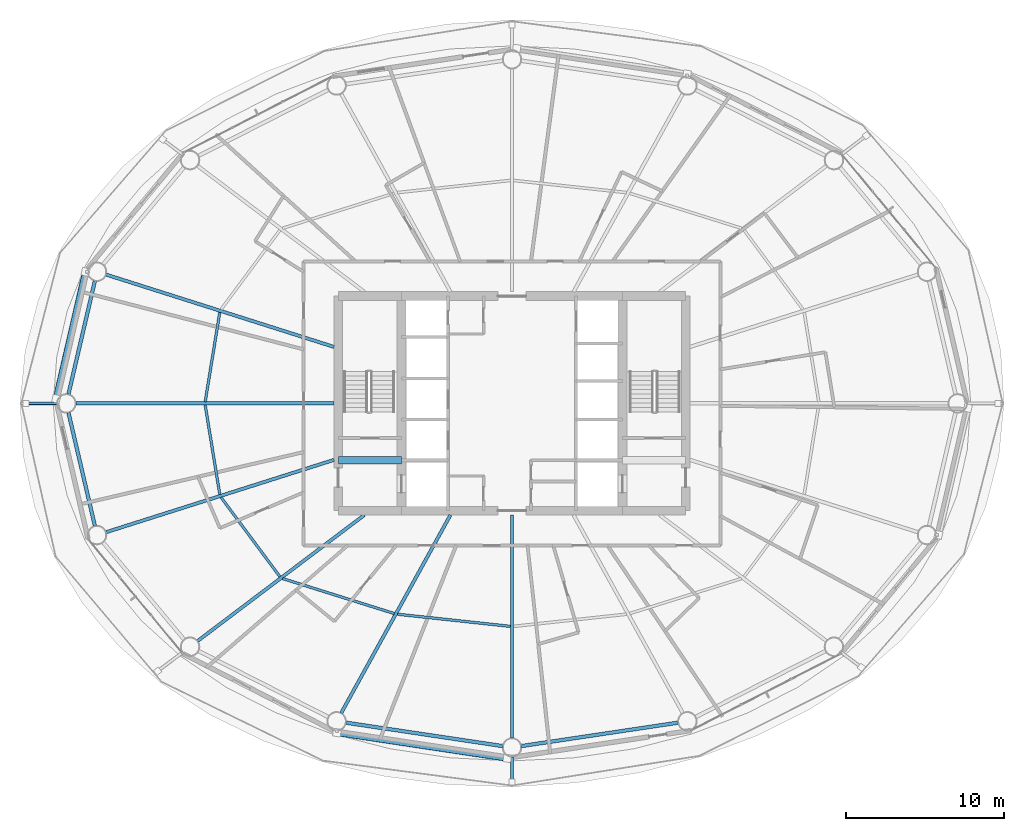
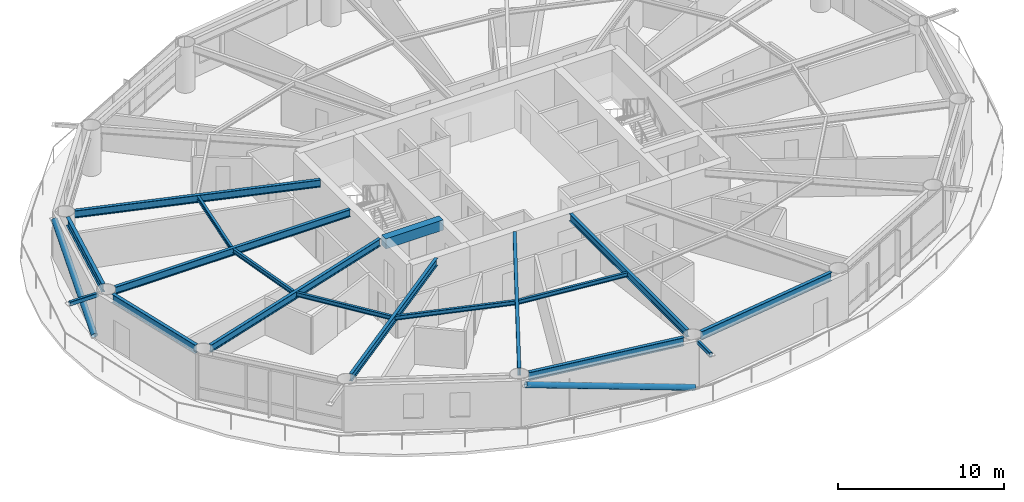
# One storey, part 3 of 24: 16 beams, 4 members.
"""IFC4 building model written with IfcOpenShell, lengths in metres."""

from ifc_helpers import new_model, si_unit, direction, frame, origin, origin_2d, place, context, subcontext, project, spatial, rectangle, hollow_rectangle, hollow_circle, i_section, extrude, material, material_profile, profile_set, type_object, element, save


model = new_model("IFC4")

# Units and contexts
model_context = context("Model", 3, precision=1e-05, world=origin(), true_north=direction((0.0, 1.0)))
body_context = subcontext(model_context, "Body", "Model", "MODEL_VIEW")
ifc_project = project(units=[si_unit("LENGTHUNIT", "METRE"), si_unit("AREAUNIT", "SQUARE_METRE"), si_unit("VOLUMEUNIT", "CUBIC_METRE"), si_unit("PLANEANGLEUNIT", "RADIAN"), si_unit("MASSUNIT", "GRAM", prefix="KILO")], contexts=[model_context])

# Site, building, storey
site_placement = place(None, origin())
site = spatial("IfcSite", under=ifc_project, at=site_placement, CompositionType="ELEMENT")
building_placement = place(site_placement, origin())
building = spatial("IfcBuilding", under=site, at=building_placement, Name="Sarneth Arch Tower", CompositionType="ELEMENT")
storey_placement = place(building_placement, frame((0.0, 0.0, 109.199951171875)))
storey = spatial("IfcBuildingStorey", under=building, at=storey_placement, Name="L27", CompositionType="ELEMENT", Elevation=109.199951171875)

# Beams
ifc_material_1 = material(Name="Steel S355", Category="steel")
ifc_material_profile_1 = material_profile(ifc_material_1, i_section(OverallWidth=0.1669921875, OverallDepth=0.31689453125, WebThickness=0.007568359375, FlangeThickness=0.01318359375, FilletRadius=0.012939453125, at=origin_2d()), Name="W310x52")
ifc_profile_set_1 = profile_set([ifc_material_profile_1], Name="Steel S355")
beam_type_1 = type_object("IfcBeamType", Name="BM-JOIST-310B", PredefinedType="JOIST", material=ifc_profile_set_1)
for number, where, z_axis, x_axis, name in (
    (1, (29.48583984375, 47.76513671875, 3.221435546875), (-0.16118181609, -0.986924729735, 0.0), (0.986924729735, -0.16118181609, 0.0), "L27 Secondary floor joist 08"),
    (2, (28.561279296875, 41.89599609375, 3.221435546875), (0.16118181609, -0.986924729735, 0.0), (0.986924729735, 0.16118181609, 0.0), "L27 Secondary floor joist 09"),
):
    element("IfcBeam", number, at=place(storey_placement, frame(where, z_axis=z_axis, x_axis=x_axis)), inside=storey, type_object=beam_type_1, Name=name, PredefinedType="JOIST", context=body_context, shape_type="SweptSolid", body=[
        extrude(i_section(OverallWidth=0.1669921875, OverallDepth=0.31689453125, WebThickness=0.007568359375, FlangeThickness=0.01318359375, FilletRadius=0.012939453125, at=origin_2d()), origin(), (0.0, 0.0, 1.0), 5.736083984375),
    ])
beam_1_placement = place(storey_placement, frame((29.565673828125, 36.0458984375, 3.221435546875), z_axis=(0.596098474255, -0.802911333206, 0.0), x_axis=(0.802911333206, 0.596098474255, 0.0)))
element("IfcBeam", 3, at=beam_1_placement, inside=storey, type_object=beam_type_1, Name="L27 Secondary floor joist 10", PredefinedType="JOIST", context=body_context, shape_type="SweptSolid", body=[
    extrude(i_section(OverallWidth=0.1669921875, OverallDepth=0.31689453125, WebThickness=0.007568359375, FlangeThickness=0.01318359375, FilletRadius=0.012939453125, at=origin_2d()), origin(), (0.0, 0.0, 1.0), 6.259033203125),
])
beam_2_placement = place(storey_placement, frame((33.460205078125, 30.904296875, 3.221435546875), z_axis=(0.954245982384, -0.299022750146, 0.0), x_axis=(0.299022750146, 0.954245982384, 0.0)))
element("IfcBeam", 4, at=beam_2_placement, inside=storey, type_object=beam_type_1, Name="L27 Secondary floor joist 11", PredefinedType="JOIST", context=body_context, shape_type="SweptSolid", body=[
    extrude(i_section(OverallWidth=0.1669921875, OverallDepth=0.31689453125, WebThickness=0.007568359375, FlangeThickness=0.01318359375, FilletRadius=0.012939453125, at=origin_2d()), origin(), (0.0, 0.0, 1.0), 7.416748046875),
])
beam_3_placement = place(storey_placement, frame((40.7431640625, 28.6435546875, 3.221435546875), z_axis=(0.994257420028, -0.107014871487, 0.0), x_axis=(0.107014871487, 0.994257420028, 0.0)))
element("IfcBeam", 5, at=beam_3_placement, inside=storey, type_object=beam_type_1, Name="L27 Secondary floor joist 12", PredefinedType="JOIST", context=body_context, shape_type="SweptSolid", body=[
    extrude(i_section(OverallWidth=0.1669921875, OverallDepth=0.31689453125, WebThickness=0.007568359375, FlangeThickness=0.01318359375, FilletRadius=0.012939453125, at=origin_2d()), origin(), (0.0, 0.0, 1.0), 7.193115234375),
])
ifc_material_2 = material(Name="Concrete C50/60", Category="concrete")
ifc_material_profile_2 = material_profile(ifc_material_2, rectangle(XDim=0.5, YDim=0.75, at=origin_2d()), Name="RC-500x750")
ifc_profile_set_2 = profile_set([ifc_material_profile_2], Name="Concrete C50/60")
beam_type_2 = type_object("IfcBeamType", Name="BM-LINTEL-RC", PredefinedType="LINTEL", material=ifc_profile_set_2)
beam_4_placement = place(storey_placement, frame((37.0, 38.39990234375, 3.005126953125), z_axis=(1.0, 0.0, 0.0), x_axis=(0.0, 1.0, 0.0)))
element("IfcBeam", 6, at=beam_4_placement, inside=storey, type_object=beam_type_2, Name="L27 Core coupling lintel W", PredefinedType="LINTEL", context=body_context, shape_type="SweptSolid", body=[
    extrude(rectangle(XDim=0.5, YDim=0.75, at=origin_2d()), origin(), (0.0, 0.0, 1.0), 4.0),
])
ifc_material_3 = material(Name="Steel S355", Category="steel")
ifc_material_profile_3 = material_profile(ifc_material_3, i_section(OverallWidth=0.2109375, OverallDepth=0.5390625, WebThickness=0.01171875, FlangeThickness=0.018798828125, FilletRadius=0.01806640625, at=origin_2d()), Name="W530x109")
ifc_profile_set_3 = profile_set([ifc_material_profile_3], Name="Steel S355")
beam_type_3 = type_object("IfcBeamType", Name="BM-RAD-530B", PredefinedType="BEAM", material=ifc_profile_set_3)
beam_5_placement = place(storey_placement, frame((36.72509765625, 45.57763671875, 3.110595703125), z_axis=(-0.953162461637, 0.302458793435, 0.0), x_axis=(-0.302458793435, -0.953162461637, 0.0)))
element("IfcBeam", 7, at=beam_5_placement, inside=storey, type_object=beam_type_3, Name="L27 Radial floor girder 08", PredefinedType="BEAM", context=body_context, shape_type="SweptSolid", body=[
    extrude(i_section(OverallWidth=0.2109375, OverallDepth=0.5390625, WebThickness=0.01171875, FlangeThickness=0.018798828125, FilletRadius=0.01806640625, at=origin_2d()), origin(), (0.0, 0.0, 1.0), 15.154052734375),
])
beam_6_placement = place(storey_placement, frame((36.72509765625, 42.0, 3.110595703125), z_axis=(-1.0, 0.0, 0.0), x_axis=(0.0, -1.0, 0.0)))
element("IfcBeam", 8, at=beam_6_placement, inside=storey, type_object=beam_type_3, Name="L27 Radial floor girder 09", PredefinedType="BEAM", context=body_context, shape_type="SweptSolid", body=[
    extrude(i_section(OverallWidth=0.2109375, OverallDepth=0.5390625, WebThickness=0.01171875, FlangeThickness=0.018798828125, FilletRadius=0.01806640625, at=origin_2d()), origin(), (0.0, 0.0, 1.0), 16.36181640625),
])
beam_7_placement = place(storey_placement, frame((36.72509765625, 38.42236328125, 3.110595703125), z_axis=(-0.953162461637, -0.302458793435, 0.0), x_axis=(0.302458793435, -0.953162461637, 0.0)))
element("IfcBeam", 9, at=beam_7_placement, inside=storey, type_object=beam_type_3, Name="L27 Radial floor girder 10", PredefinedType="BEAM", context=body_context, shape_type="SweptSolid", body=[
    extrude(i_section(OverallWidth=0.2109375, OverallDepth=0.5390625, WebThickness=0.01171875, FlangeThickness=0.018798828125, FilletRadius=0.01806640625, at=origin_2d()), origin(), (0.0, 0.0, 1.0), 15.154052734375),
])
beam_8_placement = place(storey_placement, frame((38.63818359375, 34.925048828125, 3.110595703125), z_axis=(-0.797802835234, -0.602918432371, 0.0), x_axis=(0.602918432371, -0.797802835234, 0.0)))
element("IfcBeam", 10, at=beam_8_placement, inside=storey, type_object=beam_type_3, Name="L27 Radial floor girder 11", PredefinedType="BEAM", context=body_context, shape_type="SweptSolid", body=[
    extrude(i_section(OverallWidth=0.2109375, OverallDepth=0.5390625, WebThickness=0.01171875, FlangeThickness=0.018798828125, FilletRadius=0.01806640625, at=origin_2d()), origin(), (0.0, 0.0, 1.0), 13.232666015625),
])
beam_9_placement = place(storey_placement, frame((44.09716796875, 34.925048828125, 3.110595703125), z_axis=(-0.483021011336, -0.875608761153, 0.0), x_axis=(0.875608761153, -0.483021011336, 0.0)))
element("IfcBeam", 11, at=beam_9_placement, inside=storey, type_object=beam_type_3, Name="L27 Radial floor girder 12", PredefinedType="BEAM", context=body_context, shape_type="SweptSolid", body=[
    extrude(i_section(OverallWidth=0.2109375, OverallDepth=0.5390625, WebThickness=0.01171875, FlangeThickness=0.018798828125, FilletRadius=0.01806640625, at=origin_2d()), origin(), (0.0, 0.0, 1.0), 14.32177734375),
])
beam_10_placement = place(storey_placement, frame((48.0, 34.925048828125, 3.110595703125), z_axis=(0.0, -1.0, 0.0), x_axis=(1.0, 0.0, 0.0)))
element("IfcBeam", 12, at=beam_10_placement, inside=storey, type_object=beam_type_3, Name="L27 Radial floor girder 13", PredefinedType="BEAM", context=body_context, shape_type="SweptSolid", body=[
    extrude(i_section(OverallWidth=0.2109375, OverallDepth=0.5390625, WebThickness=0.01171875, FlangeThickness=0.018798828125, FilletRadius=0.01806640625, at=origin_2d()), origin(), (0.0, 0.0, 1.0), 14.125),
])
ifc_material_4 = material(Name="Steel S355", Category="steel")
ifc_material_profile_4 = material_profile(ifc_material_4, i_section(OverallWidth=0.22900390625, OverallDepth=0.612060546875, WebThickness=0.011962890625, FlangeThickness=0.01953125, FilletRadius=0.01904296875, at=origin_2d()), Name="W610x125")
ifc_profile_set_4 = profile_set([ifc_material_profile_4], Name="Steel S355")
beam_type_4 = type_object("IfcBeamType", Name="BM-SPAN-610C", PredefinedType="SPANDREL", material=ifc_profile_set_4)
for number, where, z_axis, x_axis, name in (
    (13, (21.572509765625, 49.75830078125, 3.073974609375), (-0.227088175252, -0.973874201661, 0.0), (0.973874201661, -0.227088175252, 0.0), "L27 Perimeter spandrel beam 08"),
    (14, (19.899658203125, 41.415771484375, 3.073974609375), (0.227088175252, -0.973874201661, 0.0), (0.973874201661, 0.227088175252, 0.0), "L27 Perimeter spandrel beam 09"),
):
    element("IfcBeam", number, at=place(storey_placement, frame(where, z_axis=z_axis, x_axis=x_axis)), inside=storey, type_object=beam_type_4, Name=name, PredefinedType="SPANDREL", context=body_context, shape_type="SweptSolid", body=[
        extrude(i_section(OverallWidth=0.22900390625, OverallDepth=0.612060546875, WebThickness=0.011962890625, FlangeThickness=0.01953125, FilletRadius=0.01904296875, at=origin_2d()), origin(), (0.0, 0.0, 1.0), 7.366455078125),
    ])
for number, where, z_axis, x_axis, name in (
    (15, (37.483154296875, 21.770751953125, 3.073974609375), (0.989028613319, -0.147724073992, 0.0), (0.147724073992, 0.989028613319, 0.0), "L27 Perimeter spandrel beam 12"),
    (16, (48.593505859375, 20.28857421875, 3.073974609375), (0.989028613319, 0.147724073992, 0.0), (-0.147724073992, 0.989028613319, 0.0), "L27 Perimeter spandrel beam 13"),
):
    element("IfcBeam", number, at=place(storey_placement, frame(where, z_axis=z_axis, x_axis=x_axis)), inside=storey, type_object=beam_type_4, Name=name, PredefinedType="SPANDREL", context=body_context, shape_type="SweptSolid", body=[
        extrude(i_section(OverallWidth=0.22900390625, OverallDepth=0.612060546875, WebThickness=0.011962890625, FlangeThickness=0.01953125, FilletRadius=0.01904296875, at=origin_2d()), origin(), (0.0, 0.0, 1.0), 10.033447265625),
    ])

# Members
ifc_material_5 = material(Name="Steel S355", Category="steel")
ifc_material_profile_5 = material_profile(ifc_material_5, hollow_rectangle(XDim=0.199951171875, YDim=0.300048828125, WallThickness=0.012451171875, InnerFilletRadius=0.018798828125, OuterFilletRadius=0.03125, at=origin_2d()), Name="RHS300x200x12.5")
ifc_profile_set_5 = profile_set([ifc_material_profile_5], Name="Steel S355")
member_type_1 = type_object("IfcMemberType", Name="MEM-CANT-STRUT", PredefinedType="STRUT", material=ifc_profile_set_5)
member_1_placement = place(storey_placement, frame((19.163330078125, 42.0, 3.219970703125), z_axis=(-1.0, 0.0, 0.0), x_axis=(0.0, -1.0, 0.0)))
element("IfcMember", 17, at=member_1_placement, inside=storey, type_object=member_type_1, Name="L27 Balcony cantilever bracket 09", PredefinedType="STRUT", context=body_context, shape_type="SweptSolid", body=[
    extrude(hollow_rectangle(XDim=0.199951171875, YDim=0.300048828125, WallThickness=0.012451171875, InnerFilletRadius=0.018798828125, OuterFilletRadius=0.03125, at=origin_2d()), origin(), (0.0, 0.0, 1.0), 1.966064453125),
])
member_2_placement = place(storey_placement, frame((48.0, 19.60009765625, 3.219970703125), z_axis=(0.0, -1.0, 0.0), x_axis=(1.0, 0.0, 0.0)))
element("IfcMember", 18, at=member_2_placement, inside=storey, type_object=member_type_1, Name="L27 Balcony cantilever bracket 13", PredefinedType="STRUT", context=body_context, shape_type="SweptSolid", body=[
    extrude(hollow_rectangle(XDim=0.199951171875, YDim=0.300048828125, WallThickness=0.012451171875, InnerFilletRadius=0.018798828125, OuterFilletRadius=0.03125, at=origin_2d()), origin(), (0.0, 0.0, 1.0), 1.583984375),
])
ifc_material_6 = material(Name="Steel S355", Category="steel")
ifc_material_profile_6 = material_profile(ifc_material_6, hollow_circle(Radius=0.202880859375, WallThickness=0.01611328125, at=origin_2d()), Name="CHS406x16")
ifc_profile_set_6 = profile_set([ifc_material_profile_6], Name="Steel S355")
member_type_2 = type_object("IfcMemberType", Name="MEM-DIAG-BR2", PredefinedType="BRACE", material=ifc_profile_set_6)
member_3_placement = place(storey_placement, frame((19.121337890625, 42.292236328125, 0.02001953125), z_axis=(0.211849757262, 0.915864196825, 0.341046116123), x_axis=(-0.974275349464, 0.225360918143, 0.0)))
element("IfcMember", 19, at=member_3_placement, inside=storey, type_object=member_type_2, Name="L27 Perimeter frame diagonal 08", PredefinedType="BRACE", context=body_context, shape_type="SweptSolid", body=[
    extrude(hollow_circle(Radius=0.202880859375, WallThickness=0.01611328125, at=origin_2d()), origin(), (0.0, 0.0, 1.0), 8.775634765625),
])
member_4_placement = place(storey_placement, frame((47.703369140625, 19.5146484375, 0.02001953125), z_axis=(-0.953667510586, 0.143607606182, 0.26437688004), x_axis=(-0.148905755657, -0.988851392239, 0.0)))
element("IfcMember", 20, at=member_4_placement, inside=storey, type_object=member_type_2, Name="L27 Perimeter frame diagonal 12", PredefinedType="BRACE", context=body_context, shape_type="SweptSolid", body=[
    extrude(hollow_circle(Radius=0.202880859375, WallThickness=0.01611328125, at=origin_2d()), origin(), (0.0, 0.0, 1.0), 11.320556640625),
])

save(model, "model.ifc")
